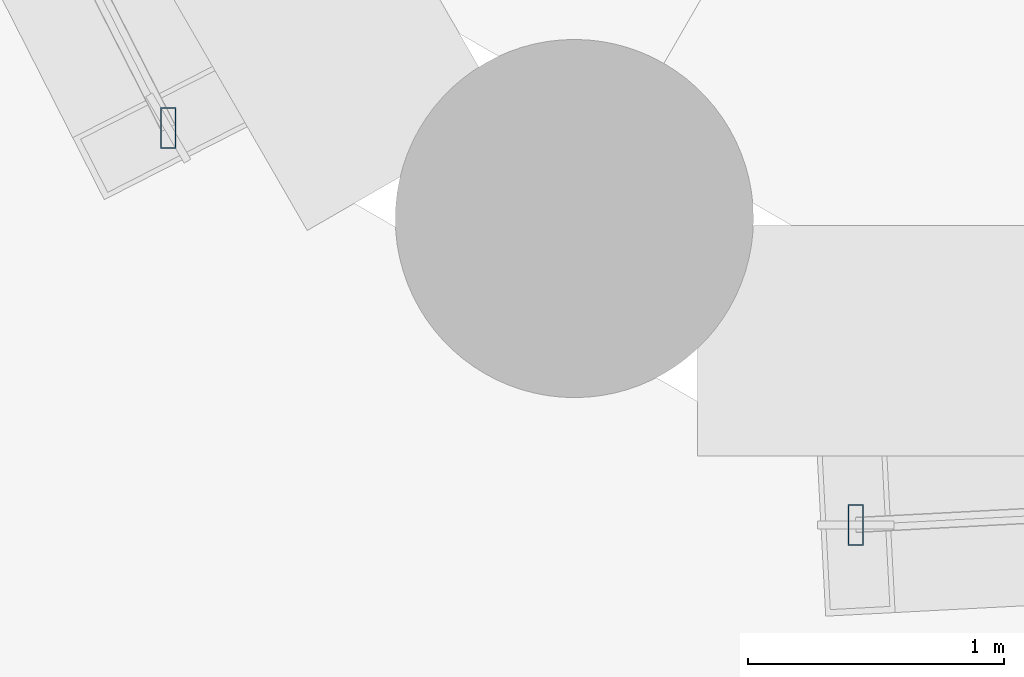
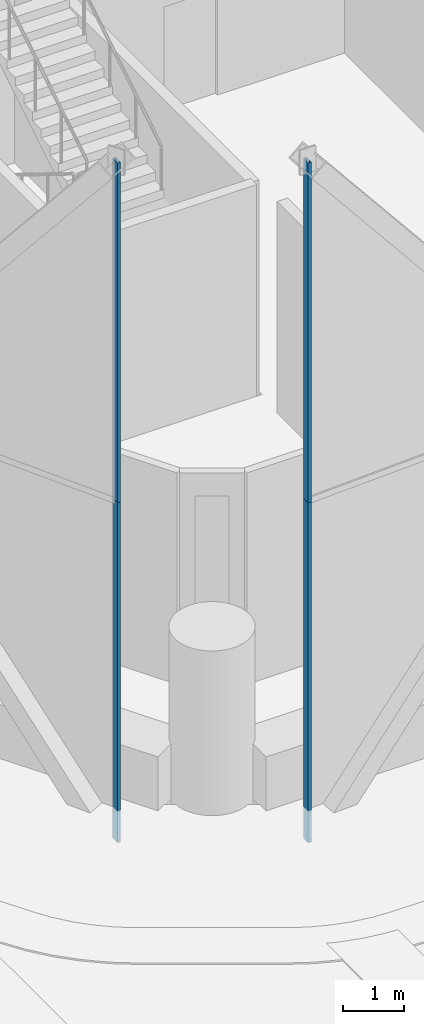
# One storey, part 7 of 71: 4 members, 2 elements without a shape of their own.
"""IFC4 building model written with IfcOpenShell, lengths in metres."""

from ifc_helpers import new_model, si_unit, direction, frame, origin, origin_2d, place, context, subcontext, project, spatial, hollow_rectangle, extrude, material, material_profile, profile_set, type_object, element, aggregate, save


model = new_model("IFC4")

# Units and contexts
model_context = context("Model", 3, precision=1e-05, world=origin(), true_north=direction((0.0, 1.0)))
body_context = subcontext(model_context, "Body", "Model", "MODEL_VIEW")
ifc_project = project(units=[si_unit("LENGTHUNIT", "METRE"), si_unit("AREAUNIT", "SQUARE_METRE"), si_unit("VOLUMEUNIT", "CUBIC_METRE"), si_unit("PLANEANGLEUNIT", "RADIAN"), si_unit("MASSUNIT", "GRAM", prefix="KILO")], contexts=[model_context])

# Site, building, storey
site_placement = place(None, origin())
site = spatial("IfcSite", under=ifc_project, at=site_placement, CompositionType="ELEMENT")
building_placement = place(site_placement, origin())
building = spatial("IfcBuilding", under=site, at=building_placement, Name="Ostrander Bayou Hotel Tower", CompositionType="ELEMENT")
storey_placement = place(building_placement, frame((0.0, 0.0, 10.0)))
storey = spatial("IfcBuildingStorey", under=building, at=storey_placement, Name="L02", CompositionType="ELEMENT", Elevation=10.0)

# Curtain wall, members
ifc_material_1 = material(Name="Aluminium and clear glass", Category="aluminium")
curtain_wall_type = type_object("IfcCurtainWallType", Name="CW-LAT lattice glazing", PredefinedType="NOTDEFINED", material=ifc_material_1)
curtain_wall_1_placement = place(storey_placement, origin())
curtain_wall_1 = element("IfcCurtainWall", 1, at=curtain_wall_1_placement, inside=storey, type_object=curtain_wall_type, Name="CW-LAT L02 SW 1", PredefinedType="NOTDEFINED")
ifc_material_2 = material(Name="Aluminium", Category="aluminium")
ifc_material_profile = material_profile(ifc_material_2, hollow_rectangle(XDim=0.06005859375, YDim=0.159912109375, WallThickness=0.00390625, at=origin_2d()))
ifc_profile_set = profile_set([ifc_material_profile], Name="Aluminium")
member_type = type_object("IfcMemberType", Name="CW-LA mullion 60 x 160 mm", PredefinedType="MULLION", material=ifc_profile_set)
member_1_placement = place(storey_placement, frame((-13.637939453125, -20.5185546875, -0.60009765625), z_axis=(0.0, 0.0, 1.0), x_axis=(1.0, 0.0, 0.0)))
member_1 = element("IfcMember", 2, at=member_1_placement, type_object=member_type, Name="CW-LAT mullion 4", PredefinedType="MULLION", context=body_context, shape_type="SweptSolid", body=[
    extrude(hollow_rectangle(XDim=0.06005859375, YDim=0.159912109375, WallThickness=0.00390625, at=origin_2d()), origin(), (0.0, 0.0, 1.0), 6.75),
])
member_2_placement = place(storey_placement, frame((-13.637939453125, -20.5185546875, 6.14990234375), z_axis=(0.0, 0.0, 1.0), x_axis=(1.0, 0.0, 0.0)))
member_2 = element("IfcMember", 3, at=member_2_placement, type_object=member_type, Name="CW-LAT mullion 5", PredefinedType="MULLION", context=body_context, shape_type="SweptSolid", body=[
    extrude(hollow_rectangle(XDim=0.06005859375, YDim=0.159912109375, WallThickness=0.00390625, at=origin_2d()), origin(), (0.0, 0.0, 1.0), 6.75),
])
aggregate(curtain_wall_1, [member_1, member_2])

curtain_wall_2_placement = place(storey_placement, origin())
curtain_wall_2 = element("IfcCurtainWall", 4, at=curtain_wall_2_placement, inside=storey, type_object=curtain_wall_type, Name="CW-LAT L02 S 1", PredefinedType="NOTDEFINED")
member_3_placement = place(storey_placement, frame((-10.95068359375, -22.070068359375, -0.60009765625), z_axis=(0.0, 0.0, 1.0), x_axis=(1.0, 0.0, 0.0)))
member_3 = element("IfcMember", 5, at=member_3_placement, type_object=member_type, Name="CW-LAT mullion 1", PredefinedType="MULLION", context=body_context, shape_type="SweptSolid", body=[
    extrude(hollow_rectangle(XDim=0.06005859375, YDim=0.159912109375, WallThickness=0.00390625, at=origin_2d()), origin(), (0.0, 0.0, 1.0), 6.75),
])
member_4_placement = place(storey_placement, frame((-10.95068359375, -22.070068359375, 6.14990234375), z_axis=(0.0, 0.0, 1.0), x_axis=(1.0, 0.0, 0.0)))
member_4 = element("IfcMember", 6, at=member_4_placement, type_object=member_type, Name="CW-LAT mullion 2", PredefinedType="MULLION", context=body_context, shape_type="SweptSolid", body=[
    extrude(hollow_rectangle(XDim=0.06005859375, YDim=0.159912109375, WallThickness=0.00390625, at=origin_2d()), origin(), (0.0, 0.0, 1.0), 6.75),
])
aggregate(curtain_wall_2, [member_3, member_4])

save(model, "model.ifc")
